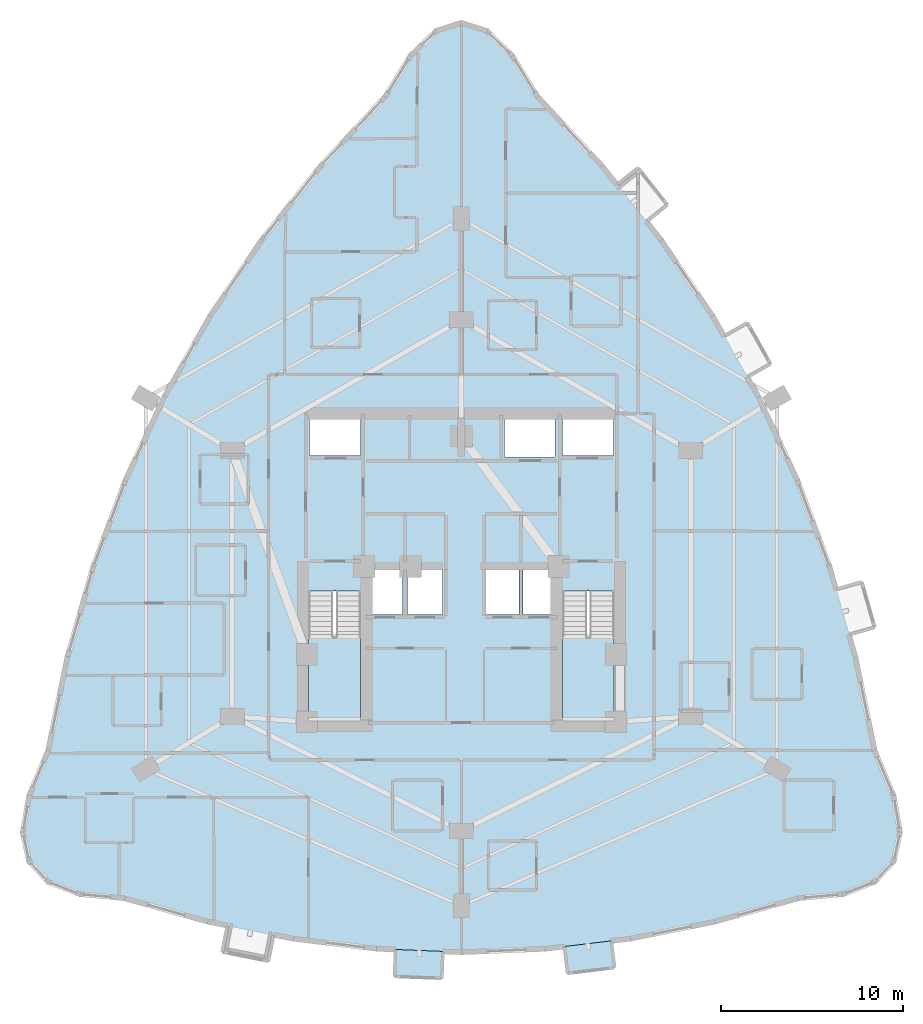
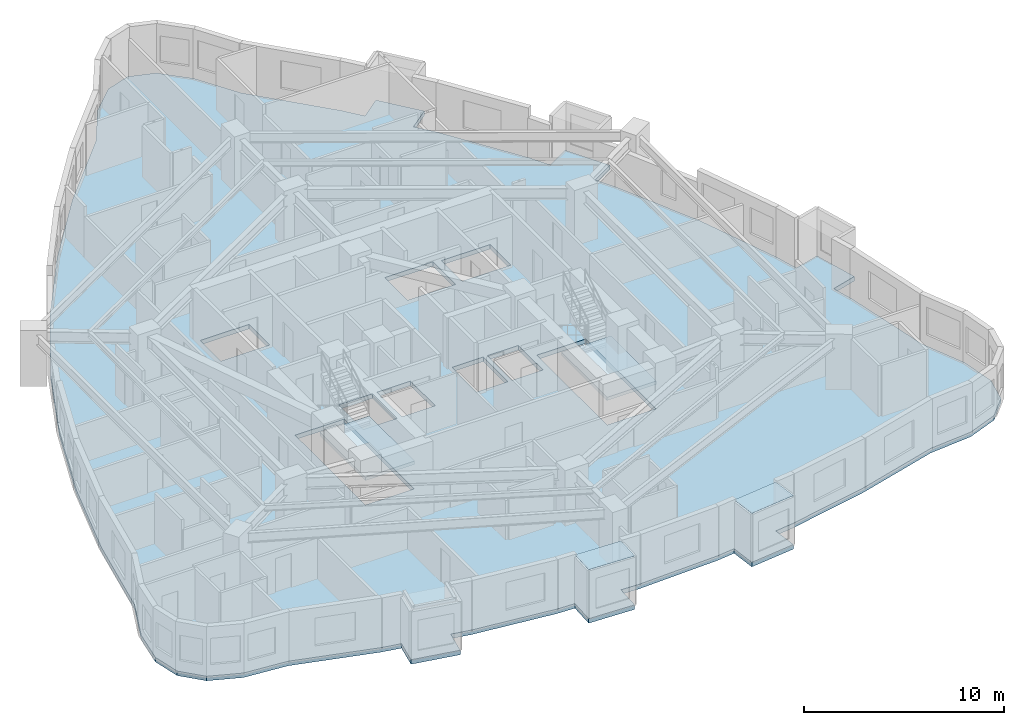
# One storey, part 3 of 15: 3 slabs, 2 plates, 2 elements without a shape of their own.
"""IFC4 building model written with IfcOpenShell, lengths in metres."""

from ifc_helpers import new_model, si_unit, direction, frame, origin, place, context, subcontext, project, spatial, polyline, outline, extrude, material, layer, layer_set, type_object, element, aggregate, save


model = new_model("IFC4")

# Units and contexts
model_context = context("Model", 3, precision=1e-05, world=origin(), true_north=direction((0.0, 1.0)))
body_context = subcontext(model_context, "Body", "Model", "MODEL_VIEW")
ifc_project = project(units=[si_unit("LENGTHUNIT", "METRE"), si_unit("AREAUNIT", "SQUARE_METRE"), si_unit("VOLUMEUNIT", "CUBIC_METRE"), si_unit("PLANEANGLEUNIT", "RADIAN"), si_unit("MASSUNIT", "GRAM", prefix="KILO")], contexts=[model_context])

# Site, building, storey
site_placement = place(None, origin())
site = spatial("IfcSite", under=ifc_project, at=site_placement, CompositionType="ELEMENT")
building_placement = place(site_placement, origin())
building = spatial("IfcBuilding", under=site, at=building_placement, Name="Miruveldt Soraemaru", CompositionType="ELEMENT")
storey_placement = place(building_placement, frame((0.0, 0.0, 83.60009765625)))
storey = spatial("IfcBuildingStorey", under=building, at=storey_placement, Name="L23", CompositionType="ELEMENT", Elevation=83.60009765625)

# Plates
ifc_material_1 = material(Name="Standing-seam titanium-zinc sheet", Category="aluminium")
ifc_layer_1 = layer(ifc_material_1, 0.011962890625, Name="Standing-seam titanium-zinc sheet", Category="aluminium")
ifc_layer_set_1 = layer_set([ifc_layer_1], Name="Standing-seam titanium-zinc sheet")
plate_type = type_object("IfcPlateType", Name="PLT-ZINC-12", PredefinedType="SHEET", material=ifc_layer_set_1)
plate_1_placement = place(storey_placement, frame((0.0, 0.0, 2.974853515625)))
element("IfcPlate", 1, at=plate_1_placement, inside=storey, type_object=plate_type, Name="L23 Bay Window Zinc Hood Sheet 2", PredefinedType="SHEET", context=body_context, shape_type="SweptSolid", body=[
    extrude(outline(polyline([(40.3828125, 22.982666015625), (42.980712890625, 22.87890625), (42.921630859375, 21.39990234375), (40.32373046875, 21.50390625), (40.3828125, 22.982666015625)])), origin(), (0.0, 0.0, 1.0), 0.011962890625),
])
plate_2_placement = place(storey_placement, frame((0.0, 0.0, 2.974853515625)))
element("IfcPlate", 2, at=plate_2_placement, inside=storey, type_object=plate_type, Name="L23 Bay Window Zinc Hood Sheet 3", PredefinedType="SHEET", context=body_context, shape_type="SweptSolid", body=[
    extrude(outline(polyline([(49.663818359375, 23.146728515625), (52.2451171875, 23.45654296875), (52.42138671875, 21.987060546875), (49.840087890625, 21.67724609375), (49.663818359375, 23.146728515625)])), origin(), (0.0, 0.0, 1.0), 0.011962890625),
])

# Stair, slab
ifc_material_2 = material(Name="Concrete C40/50 (40 MPa)", Category="concrete")
stair_type = type_object("IfcStairType", Name="STAIR-DL-340", PredefinedType="HALF_TURN_STAIR", material=ifc_material_2)
stair_1_placement = place(storey_placement, origin())
stair_1 = element("IfcStair", 3, at=stair_1_placement, inside=storey, type_object=stair_type, Name="L23 Protected Exit Stair ST-1", PredefinedType="HALF_TURN_STAIR")
ifc_layer_2 = layer(ifc_material_2, 0.199951171875, Name="Concrete C40/50 (40 MPa)", Category="concrete")
ifc_layer_set_2 = layer_set([ifc_layer_2], Name="Concrete C40/50 (40 MPa)")
slab_type_1 = type_object("IfcSlabType", Name="SLAB-LAND-200", PredefinedType="LANDING", material=ifc_layer_set_2)
slab_1_placement = place(storey_placement, frame((0.0, 0.0, 1.5)))
slab_1 = element("IfcSlab", 4, at=slab_1_placement, type_object=slab_type_1, Name="ST-1 landing 1", PredefinedType="LANDING", context=body_context, shape_type="SweptSolid", body=[
    extrude(outline(polyline([(35.60009765625, 40.197998046875), (35.60009765625, 35.64990234375), (38.449951171875, 35.64990234375), (38.449951171875, 40.197998046875), (35.60009765625, 40.197998046875)])), origin(), (0.0, 0.0, 1.0), 0.199951171875),
])
aggregate(stair_1, [slab_1])

stair_2_placement = place(storey_placement, origin())
stair_2 = element("IfcStair", 5, at=stair_2_placement, inside=storey, type_object=stair_type, Name="L23 Protected Exit Stair ST-2", PredefinedType="HALF_TURN_STAIR")
slab_2_placement = place(storey_placement, frame((0.0, 0.0, 1.5)))
slab_2 = element("IfcSlab", 6, at=slab_2_placement, type_object=slab_type_1, Name="ST-2 landing 1", PredefinedType="LANDING", context=body_context, shape_type="SweptSolid", body=[
    extrude(outline(polyline([(49.550048828125, 40.197998046875), (49.550048828125, 35.64990234375), (52.39990234375, 35.64990234375), (52.39990234375, 40.197998046875), (49.550048828125, 40.197998046875)])), origin(), (0.0, 0.0, 1.0), 0.199951171875),
])
aggregate(stair_2, [slab_2])

# Slab
ifc_layer_3 = layer(ifc_material_2, 0.27490234375, Name="Concrete C40/50 (40 MPa)", Category="concrete")
ifc_layer_set_3 = layer_set([ifc_layer_3], Name="Concrete C40/50 (40 MPa)")
slab_type_2 = type_object("IfcSlabType", Name="SLAB-RES1-275", PredefinedType="FLOOR", material=ifc_layer_set_3)
slab_3_placement = place(storey_placement, frame((0.0, 0.0, -0.275146484375)))
element("IfcSlab", 7, at=slab_3_placement, inside=storey, type_object=slab_type_2, Name="L23 Structural Floor Slab", PredefinedType="FLOOR", context=body_context, shape_type="SweptSolid", body=[
    extrude(outline(polyline([(39.36376953125, 23.0234375), (34.727294921875, 23.579833984375), (33.68408203125, 23.78857421875), (33.393798828125, 22.33740234375), (30.84423828125, 22.84716796875), (31.134521484375, 24.29833984375), (32.4091796875, 24.04345703125), (30.091064453125, 24.507080078125), (25.454833984375, 25.805419921875), (23.017822265625, 26.030517578125), (21.277099609375, 26.705810546875), (20.23291015625, 27.831298828125), (19.884521484375, 29.406982421875), (20.23291015625, 31.43310546875), (21.277099609375, 33.909423828125), (22.336181640625, 39.055419921875), (23.7548828125, 44.01611328125), (25.533447265625, 48.791259765625), (27.671630859375, 53.381103515625), (30.169677734375, 57.78515625), (33.027587890625, 62.00390625), (36.2451171875, 66.037353515625), (39.822509765625, 69.88525390625), (41.21484375, 72.136474609375), (42.607421875, 73.487060546875), (44.0, 73.937255859375), (45.392578125, 73.487060546875), (46.78515625, 72.136474609375), (48.177490234375, 69.88525390625), (51.7548828125, 66.037353515625), (52.552978515625, 65.036865234375), (53.7099609375, 65.9599609375), (55.331298828125, 63.927490234375), (54.17431640625, 63.00439453125), (53.36376953125, 64.020751953125), (54.972412109375, 62.00390625), (57.830322265625, 57.78515625), (58.43798828125, 56.7138671875), (59.72509765625, 57.444091796875), (61.008056640625, 55.1826171875), (59.720703125, 54.452392578125), (59.079345703125, 55.5830078125), (60.328369140625, 53.381103515625), (62.466552734375, 48.791259765625), (64.2451171875, 44.01611328125), (64.954345703125, 41.535888671875), (64.596923828125, 42.78564453125), (66.02001953125, 43.192626953125), (66.73486328125, 40.69287109375), (65.31201171875, 40.285888671875), (65.663818359375, 39.055419921875), (66.722900390625, 33.909423828125), (67.76708984375, 31.43310546875), (68.115478515625, 29.406982421875), (67.76708984375, 27.831298828125), (66.722900390625, 26.705810546875), (64.982177734375, 26.030517578125), (62.545166015625, 25.805419921875), (57.908935546875, 24.507080078125), (53.272705078125, 23.579833984375), (52.2451171875, 23.45654296875), (52.42138671875, 21.987060546875), (49.840087890625, 21.67724609375), (49.663818359375, 23.146728515625), (48.63623046875, 23.0234375), (44.0, 22.837890625), (42.980712890625, 22.87890625), (42.921630859375, 21.39990234375), (40.32373046875, 21.50390625), (40.3828125, 22.982666015625), (39.36376953125, 23.0234375)]), holes=[polyline([(35.614990234375, 35.6650390625), (38.43505859375, 35.6650390625), (38.43505859375, 42.68505859375), (35.614990234375, 42.68505859375), (35.614990234375, 35.6650390625)]), polyline([(49.56494140625, 35.6650390625), (52.385009765625, 35.6650390625), (52.385009765625, 42.68505859375), (49.56494140625, 42.68505859375), (49.56494140625, 35.6650390625)]), polyline([(40.764892578125, 41.4150390625), (40.764892578125, 43.885009765625), (38.81494140625, 43.885009765625), (38.81494140625, 41.4150390625), (40.764892578125, 41.4150390625)]), polyline([(42.965087890625, 41.4150390625), (42.965087890625, 43.885009765625), (41.034912109375, 43.885009765625), (41.034912109375, 41.4150390625), (42.965087890625, 41.4150390625)]), polyline([(47.1650390625, 41.4150390625), (47.1650390625, 43.885009765625), (45.364990234375, 43.885009765625), (45.364990234375, 41.4150390625), (47.1650390625, 41.4150390625)]), polyline([(49.18505859375, 41.4150390625), (49.18505859375, 43.885009765625), (47.39501953125, 43.885009765625), (47.39501953125, 41.4150390625), (49.18505859375, 41.4150390625)]), polyline([(38.445068359375, 50.135009765625), (38.445068359375, 52.205078125), (35.635009765625, 52.205078125), (35.635009765625, 50.135009765625), (38.445068359375, 50.135009765625)]), polyline([(49.554931640625, 50.135009765625), (52.364990234375, 50.135009765625), (52.364990234375, 52.205078125), (49.554931640625, 52.205078125), (49.554931640625, 50.135009765625)]), polyline([(46.364990234375, 50.06494140625), (49.135009765625, 50.06494140625), (49.135009765625, 52.3349609375), (46.364990234375, 52.3349609375), (46.364990234375, 50.06494140625)])]), origin(), (0.0, 0.0, 1.0), 0.275146484375),
])

save(model, "model.ifc")
